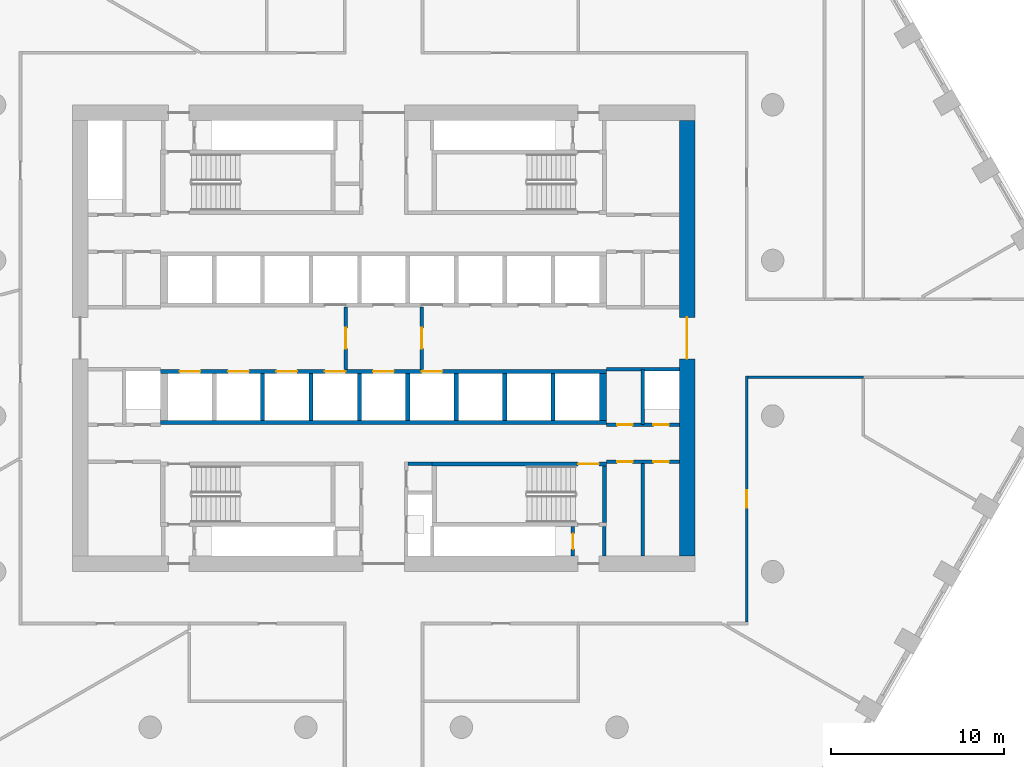
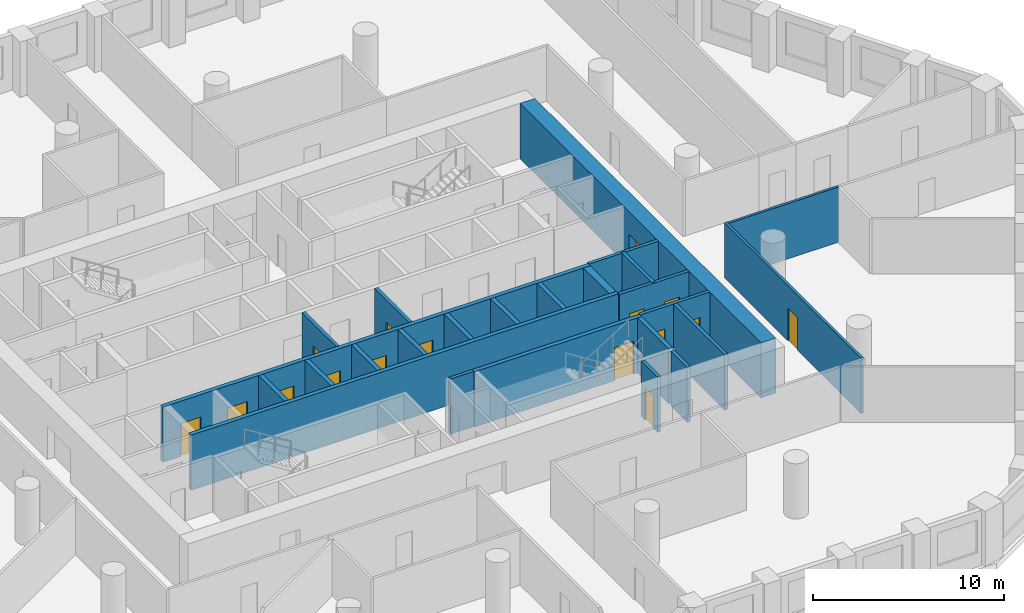
# One storey, part 4 of 10: 25 walls, 16 doors, 16 openings.
"""IFC4 building model written with IfcOpenShell, lengths in metres."""

from ifc_helpers import new_model, si_unit, direction, frame, frame_2d, origin, place, context, subcontext, project, spatial, polyline, rectangle, outline, extrude, material, layer, layer_set, type_object, element, fill, save


model = new_model("IFC4")

# Units and contexts
model_context = context("Model", 3, precision=1e-05, world=origin(), true_north=direction((0.0, 1.0)))
body_context = subcontext(model_context, "Body", "Model", "MODEL_VIEW")
ifc_project = project(units=[si_unit("LENGTHUNIT", "METRE"), si_unit("AREAUNIT", "SQUARE_METRE"), si_unit("VOLUMEUNIT", "CUBIC_METRE"), si_unit("PLANEANGLEUNIT", "RADIAN"), si_unit("MASSUNIT", "GRAM", prefix="KILO")], contexts=[model_context])

# Site, building, storey
site_placement = place(None, origin())
site = spatial("IfcSite", under=ifc_project, at=site_placement, CompositionType="ELEMENT")
building_placement = place(site_placement, origin())
building = spatial("IfcBuilding", under=site, at=building_placement, Name="Dhurran Vertical Campus", CompositionType="ELEMENT")
storey_placement = place(building_placement, frame((0.0, 0.0, 89.10009765625)))
storey = spatial("IfcBuildingStorey", under=building, at=storey_placement, Name="L21", CompositionType="ELEMENT", Elevation=89.10009765625)

# Wall, opening, door
ifc_material_1 = material(Name="Concrete C60/75", Category="concrete")
ifc_layer_1 = layer(ifc_material_1, 0.89990234375)
ifc_layer_set_1 = layer_set([ifc_layer_1], Name="Concrete C60/75")
wall_type_1 = type_object("IfcWallType", Name="co-CORE-WALL-C0-900", PredefinedType="SHEAR", material=ifc_layer_set_1)
wall_1_placement = place(storey_placement, frame((17.550048828125, -12.60009765625, 0.0), z_axis=(0.0, 0.0, 1.0), x_axis=(0.0, 1.0, 0.0)))
wall_1 = element("IfcWall", 1, at=wall_1_placement, inside=storey, type_object=wall_type_1, Name="Core wall E L21", PredefinedType="SHEAR", context=body_context, shape_type="SweptSolid", body=[
    extrude(rectangle(XDim=25.2001953125, YDim=0.89990234375, at=frame_2d((12.60009765625, 0.0))), origin(), (0.0, 0.0, 1.0), 3.52490234375),
])
opening_1_placement = place(wall_1_placement, frame((11.39990234375, 0.0, 0.0)))
opening_1 = element("IfcOpeningElement", 2, at=opening_1_placement, cuts=wall_1, Name="Opening CL2", PredefinedType="OPENING", context=body_context, shape_type="SweptSolid", body=[
    extrude(rectangle(XDim=2.39990234375, YDim=2.10009765625, at=frame_2d((1.199951171875, 1.050048828125))), frame((0.0, 0.4599609375, 0.0), z_axis=(0.0, -1.0, 0.0), x_axis=(1.0, 0.0, 0.0)), (0.0, 0.0, 1.0), 0.919921875),
])
ifc_material_2 = material(Name="Fire-rated glazed door set")
door_type_1 = type_object("IfcDoorType", Name="co-D-LOBBY 2400x2100", OperationType="DOUBLE_DOOR_DOUBLE_SWING", PredefinedType="DOOR", material=ifc_material_2)
door_1_placement = place(opening_1_placement, origin())
door_1 = element("IfcDoor", 3, at=door_1_placement, inside=storey, type_object=door_type_1, Name="Lift lobby door E L21", OperationType="DOUBLE_DOOR_DOUBLE_SWING", OverallHeight=2.10009765625, OverallWidth=2.39990234375, PredefinedType="DOOR", context=body_context, shape_type="SweptSolid", body=[
    extrude(rectangle(XDim=2.39990234375, YDim=2.10009765625, at=frame_2d((1.199951171875, 1.050048828125))), frame((0.0, 0.02490234375, 0.0), z_axis=(0.0, -1.0, 0.0), x_axis=(1.0, 0.0, 0.0)), (0.0, 0.0, 1.0), 0.050048828125),
])
fill(opening_1, door_1)

ifc_material_3 = material(Name="Fire-rated masonry blockwork", Category="masonry")
ifc_layer_2 = layer(ifc_material_3, 0.199951171875)
ifc_layer_set_2 = layer_set([ifc_layer_2], Name="Fire-rated masonry blockwork")
wall_type_2 = type_object("IfcWallType", Name="co-FIRE-PARTITION-200", PredefinedType="PARTITIONING", material=ifc_layer_set_2)
wall_2_placement = place(storey_placement, frame((-2.199951171875, -1.800048828125, 0.0), z_axis=(0.0, 0.0, 1.0), x_axis=(0.0, 1.0, 0.0)))
wall_2 = element("IfcWall", 4, at=wall_2_placement, inside=storey, type_object=wall_type_2, Name="Firefighting lobby wall W L21", PredefinedType="PARTITIONING", context=body_context, shape_type="SweptSolid", body=[
    extrude(rectangle(XDim=3.60009765625, YDim=0.199951171875, at=frame_2d((1.800048828125, 0.0))), origin(), (0.0, 0.0, 1.0), 3.52490234375),
])
opening_2_placement = place(wall_2_placement, frame((1.199951171875, 0.0, 0.0)))
opening_2 = element("IfcOpeningElement", 5, at=opening_2_placement, cuts=wall_2, Name="Opening FL1", PredefinedType="OPENING", context=body_context, shape_type="SweptSolid", body=[
    extrude(rectangle(XDim=1.199951171875, YDim=2.10009765625, at=frame_2d((0.60009765625, 1.050048828125))), frame((0.0, 0.10986328125, 0.0), z_axis=(0.0, -1.0, 0.0), x_axis=(1.0, 0.0, 0.0)), (0.0, 0.0, 1.0), 0.219970703125),
])
ifc_material_4 = material(Name="Fire-rated steel door set", Category="steel")
door_type_2 = type_object("IfcDoorType", Name="co-D-FFLOBBY 1200x2100", OperationType="SINGLE_SWING_LEFT", PredefinedType="DOOR", material=ifc_material_4)
door_2_placement = place(opening_2_placement, origin())
door_2 = element("IfcDoor", 6, at=door_2_placement, inside=storey, type_object=door_type_2, Name="Firefighting lobby door W L21", OperationType="SINGLE_SWING_LEFT", OverallHeight=2.10009765625, OverallWidth=1.199951171875, PredefinedType="DOOR", context=body_context, shape_type="SweptSolid", body=[
    extrude(rectangle(XDim=1.199951171875, YDim=2.10009765625, at=frame_2d((0.60009765625, 1.050048828125))), frame((0.0, 0.02490234375, 0.0), z_axis=(0.0, -1.0, 0.0), x_axis=(1.0, 0.0, 0.0)), (0.0, 0.0, 1.0), 0.050048828125),
])
fill(opening_2, door_2)

wall_3_placement = place(storey_placement, frame((2.199951171875, -1.800048828125, 0.0), z_axis=(0.0, 0.0, 1.0), x_axis=(0.0, 1.0, 0.0)))
wall_3 = element("IfcWall", 7, at=wall_3_placement, inside=storey, type_object=wall_type_2, Name="Firefighting lobby wall E L21", PredefinedType="PARTITIONING", context=body_context, shape_type="SweptSolid", body=[
    extrude(rectangle(XDim=3.60009765625, YDim=0.199951171875, at=frame_2d((1.800048828125, 0.0))), origin(), (0.0, 0.0, 1.0), 3.52490234375),
])
opening_3_placement = place(wall_3_placement, frame((1.199951171875, 0.0, 0.0)))
opening_3 = element("IfcOpeningElement", 8, at=opening_3_placement, cuts=wall_3, Name="Opening FL2", PredefinedType="OPENING", context=body_context, shape_type="SweptSolid", body=[
    extrude(rectangle(XDim=1.199951171875, YDim=2.10009765625, at=frame_2d((0.60009765625, 1.050048828125))), frame((0.0, 0.10986328125, 0.0), z_axis=(0.0, -1.0, 0.0), x_axis=(1.0, 0.0, 0.0)), (0.0, 0.0, 1.0), 0.219970703125),
])
door_3_placement = place(opening_3_placement, origin())
door_3 = element("IfcDoor", 9, at=door_3_placement, inside=storey, type_object=door_type_2, Name="Firefighting lobby door E L21", OperationType="SINGLE_SWING_LEFT", OverallHeight=2.10009765625, OverallWidth=1.199951171875, PredefinedType="DOOR", context=body_context, shape_type="SweptSolid", body=[
    extrude(rectangle(XDim=1.199951171875, YDim=2.10009765625, at=frame_2d((0.60009765625, 1.050048828125))), frame((0.0, 0.02490234375, 0.0), z_axis=(0.0, -1.0, 0.0), x_axis=(1.0, 0.0, 0.0)), (0.0, 0.0, 1.0), 0.050048828125),
])
fill(opening_3, door_3)

# Walls
wall_4_placement = place(storey_placement, frame((1.39990234375, -7.25, 0.0), z_axis=(0.0, 0.0, 1.0), x_axis=(1.0, 0.0, 0.0)))
element("IfcWall", 10, at=wall_4_placement, inside=storey, type_object=wall_type_2, Name="Core partition sl-SE-S L21", PredefinedType="PARTITIONING", context=body_context, shape_type="SweptSolid", body=[
    extrude(rectangle(XDim=1.400146484375, YDim=0.199951171875, at=frame_2d((0.7001953125, 0.0))), origin(), (0.0, 0.0, 1.0), 3.52490234375),
])
wall_5_placement = place(storey_placement, frame((12.75, -12.60009765625, 0.0), z_axis=(0.0, 0.0, 1.0), x_axis=(0.0, 1.0, 0.0)))
element("IfcWall", 11, at=wall_5_placement, inside=storey, type_object=wall_type_2, Name="Core partition pass-ST4-o L21", PredefinedType="PARTITIONING", context=body_context, shape_type="SweptSolid", body=[
    extrude(rectangle(XDim=1.7001953125, YDim=0.199951171875, at=frame_2d((0.85009765625, 0.0))), origin(), (0.0, 0.0, 1.0), 3.52490234375),
])

# Wall, opening, door
wall_6_placement = place(storey_placement, frame((10.949951171875, -12.60009765625, 0.0), z_axis=(0.0, 0.0, 1.0), x_axis=(0.0, 1.0, 0.0)))
wall_6 = element("IfcWall", 12, at=wall_6_placement, inside=storey, type_object=wall_type_2, Name="Core partition pass-ST4-i L21", PredefinedType="PARTITIONING", context=body_context, shape_type="SweptSolid", body=[
    extrude(rectangle(XDim=1.7001953125, YDim=0.199951171875, at=frame_2d((0.85009765625, 0.0))), origin(), (0.0, 0.0, 1.0), 3.52490234375),
])
opening_4_placement = place(wall_6_placement, frame((0.39990234375, 0.0, 0.0)))
opening_4 = element("IfcOpeningElement", 13, at=opening_4_placement, cuts=wall_6, Name="Opening T05-C11", PredefinedType="OPENING", context=body_context, shape_type="SweptSolid", body=[
    extrude(rectangle(XDim=0.89990234375, YDim=2.10009765625, at=frame_2d((0.449951171875, 1.050048828125))), frame((0.0, 0.10986328125, 0.0), z_axis=(0.0, -1.0, 0.0), x_axis=(1.0, 0.0, 0.0)), (0.0, 0.0, 1.0), 0.219970703125),
])
ifc_material_5 = material(Name="Fire-rated timber door set", Category="wood")
door_type_3 = type_object("IfcDoorType", Name="co-D-ROOM 900x2100", OperationType="SINGLE_SWING_LEFT", PredefinedType="DOOR", material=ifc_material_5)
door_4_placement = place(opening_4_placement, origin())
door_4 = element("IfcDoor", 14, at=door_4_placement, inside=storey, type_object=door_type_3, Name="Riser room door L21", OperationType="SINGLE_SWING_LEFT", OverallHeight=2.10009765625, OverallWidth=0.89990234375, PredefinedType="DOOR", context=body_context, shape_type="SweptSolid", body=[
    extrude(rectangle(XDim=0.89990234375, YDim=2.10009765625, at=frame_2d((0.449951171875, 1.050048828125))), frame((0.0, 0.02490234375, 0.0), z_axis=(0.0, -1.0, 0.0), x_axis=(1.0, 0.0, 0.0)), (0.0, 0.0, 1.0), 0.050048828125),
])
fill(opening_4, door_4)

# Wall
wall_7_placement = place(storey_placement, frame((15.0, -12.60009765625, 0.0), z_axis=(0.0, 0.0, 1.0), x_axis=(0.0, 1.0, 0.0)))
element("IfcWall", 15, at=wall_7_placement, inside=storey, type_object=wall_type_2, Name="Core partition en-SE-cut0 L21", PredefinedType="PARTITIONING", context=body_context, shape_type="SweptSolid", body=[
    extrude(rectangle(XDim=5.4501953125, YDim=0.199951171875, at=frame_2d((2.72509765625, 0.0))), origin(), (0.0, 0.0, 1.0), 3.52490234375),
])

# Wall, openings, doors
wall_8_placement = place(storey_placement, frame((12.89990234375, -7.14990234375, 0.0), z_axis=(0.0, 0.0, 1.0), x_axis=(1.0, 0.0, 0.0)))
wall_8 = element("IfcWall", 16, at=wall_8_placement, inside=storey, type_object=wall_type_2, Name="Core partition en-SE-w L21", PredefinedType="PARTITIONING", context=body_context, shape_type="SweptSolid", body=[
    extrude(rectangle(XDim=4.2001953125, YDim=0.199951171875, at=frame_2d((2.10009765625, 0.0))), origin(), (0.0, 0.0, 1.0), 3.52490234375),
])
opening_5_placement = place(wall_8_placement, frame((0.60009765625, 0.0, 0.0)))
opening_5 = element("IfcOpeningElement", 17, at=opening_5_placement, cuts=wall_8, Name="Opening T05-C22", PredefinedType="OPENING", context=body_context, shape_type="SweptSolid", body=[
    extrude(rectangle(XDim=0.89990234375, YDim=2.10009765625, at=frame_2d((0.449951171875, 1.050048828125))), frame((0.0, 0.10986328125, 0.0), z_axis=(0.0, -1.0, 0.0), x_axis=(1.0, 0.0, 0.0)), (0.0, 0.0, 1.0), 0.219970703125),
])
opening_6_placement = place(wall_8_placement, frame((2.699951171875, 0.0, 0.0)))
opening_6 = element("IfcOpeningElement", 18, at=opening_6_placement, cuts=wall_8, Name="Opening T05-C23", PredefinedType="OPENING", context=body_context, shape_type="SweptSolid", body=[
    extrude(rectangle(XDim=0.89990234375, YDim=2.10009765625, at=frame_2d((0.449951171875, 1.050048828125))), frame((0.0, 0.10986328125, 0.0), z_axis=(0.0, -1.0, 0.0), x_axis=(1.0, 0.0, 0.0)), (0.0, 0.0, 1.0), 0.219970703125),
])
door_5_placement = place(opening_5_placement, origin())
door_5 = element("IfcDoor", 19, at=door_5_placement, inside=storey, type_object=door_type_3, Name="Waste room door L21", OperationType="SINGLE_SWING_LEFT", OverallHeight=2.10009765625, OverallWidth=0.89990234375, PredefinedType="DOOR", context=body_context, shape_type="SweptSolid", body=[
    extrude(rectangle(XDim=0.89990234375, YDim=2.10009765625, at=frame_2d((0.449951171875, 1.050048828125))), frame((0.0, 0.02490234375, 0.0), z_axis=(0.0, -1.0, 0.0), x_axis=(1.0, 0.0, 0.0)), (0.0, 0.0, 1.0), 0.050048828125),
])
fill(opening_5, door_5)
door_6_placement = place(opening_6_placement, origin())
door_6 = element("IfcDoor", 20, at=door_6_placement, inside=storey, type_object=door_type_3, Name="Pantry door L21", OperationType="SINGLE_SWING_LEFT", OverallHeight=2.10009765625, OverallWidth=0.89990234375, PredefinedType="DOOR", context=body_context, shape_type="SweptSolid", body=[
    extrude(rectangle(XDim=0.89990234375, YDim=2.10009765625, at=frame_2d((0.449951171875, 1.050048828125))), frame((0.0, 0.02490234375, 0.0), z_axis=(0.0, -1.0, 0.0), x_axis=(1.0, 0.0, 0.0)), (0.0, 0.0, 1.0), 0.050048828125),
])
fill(opening_6, door_6)

# Wall
wall_9_placement = place(storey_placement, frame((15.0, -5.0, 0.0), z_axis=(0.0, 0.0, 1.0), x_axis=(0.0, 1.0, 0.0)))
element("IfcWall", 21, at=wall_9_placement, inside=storey, type_object=wall_type_2, Name="Core partition es-SE-cut0 L21", PredefinedType="PARTITIONING", context=body_context, shape_type="SweptSolid", body=[
    extrude(rectangle(XDim=3.199951171875, YDim=0.199951171875, at=frame_2d((1.60009765625, 0.0))), origin(), (0.0, 0.0, 1.0), 3.52490234375),
])

# Wall, openings, doors
wall_10_placement = place(storey_placement, frame((12.89990234375, -5.0, 0.0), z_axis=(0.0, 0.0, 1.0), x_axis=(1.0, 0.0, 0.0)))
wall_10 = element("IfcWall", 22, at=wall_10_placement, inside=storey, type_object=wall_type_2, Name="Core partition es-SE-w L21", PredefinedType="PARTITIONING", context=body_context, shape_type="SweptSolid", body=[
    extrude(rectangle(XDim=4.2001953125, YDim=0.199951171875, at=frame_2d((2.10009765625, 0.0))), origin(), (0.0, 0.0, 1.0), 3.52490234375),
])
opening_7_placement = place(wall_10_placement, frame((0.60009765625, 0.0, 0.0)))
opening_7 = element("IfcOpeningElement", 23, at=opening_7_placement, cuts=wall_10, Name="Opening T05-C24", PredefinedType="OPENING", context=body_context, shape_type="SweptSolid", body=[
    extrude(rectangle(XDim=0.89990234375, YDim=2.10009765625, at=frame_2d((0.449951171875, 1.050048828125))), frame((0.0, 0.10986328125, 0.0), z_axis=(0.0, -1.0, 0.0), x_axis=(1.0, 0.0, 0.0)), (0.0, 0.0, 1.0), 0.219970703125),
])
opening_8_placement = place(wall_10_placement, frame((2.699951171875, 0.0, 0.0)))
opening_8 = element("IfcOpeningElement", 24, at=opening_8_placement, cuts=wall_10, Name="Opening T05-C25", PredefinedType="OPENING", context=body_context, shape_type="SweptSolid", body=[
    extrude(rectangle(XDim=0.89990234375, YDim=2.10009765625, at=frame_2d((0.449951171875, 1.050048828125))), frame((0.0, 0.10986328125, 0.0), z_axis=(0.0, -1.0, 0.0), x_axis=(1.0, 0.0, 0.0)), (0.0, 0.0, 1.0), 0.219970703125),
])
door_7_placement = place(opening_7_placement, origin())
door_7 = element("IfcDoor", 25, at=door_7_placement, inside=storey, type_object=door_type_3, Name="Plant room door L21", OperationType="SINGLE_SWING_LEFT", OverallHeight=2.10009765625, OverallWidth=0.89990234375, PredefinedType="DOOR", context=body_context, shape_type="SweptSolid", body=[
    extrude(rectangle(XDim=0.89990234375, YDim=2.10009765625, at=frame_2d((0.449951171875, 1.050048828125))), frame((0.0, 0.02490234375, 0.0), z_axis=(0.0, -1.0, 0.0), x_axis=(1.0, 0.0, 0.0)), (0.0, 0.0, 1.0), 0.050048828125),
])
fill(opening_7, door_7)
door_8_placement = place(opening_8_placement, origin())
door_8 = element("IfcDoor", 26, at=door_8_placement, inside=storey, type_object=door_type_3, Name="Water riser door L21", OperationType="SINGLE_SWING_LEFT", OverallHeight=2.10009765625, OverallWidth=0.89990234375, PredefinedType="DOOR", context=body_context, shape_type="SweptSolid", body=[
    extrude(rectangle(XDim=0.89990234375, YDim=2.10009765625, at=frame_2d((0.449951171875, 1.050048828125))), frame((0.0, 0.02490234375, 0.0), z_axis=(0.0, -1.0, 0.0), x_axis=(1.0, 0.0, 0.0)), (0.0, 0.0, 1.0), 0.050048828125),
])
fill(opening_8, door_8)

# Wall
wall_11_placement = place(storey_placement, frame((12.89990234375, -1.800048828125, 0.0), z_axis=(0.0, 0.0, 1.0), x_axis=(1.0, 0.0, 0.0)))
element("IfcWall", 27, at=wall_11_placement, inside=storey, type_object=wall_type_2, Name="Core partition es-SE-l L21", PredefinedType="PARTITIONING", context=body_context, shape_type="SweptSolid", body=[
    extrude(rectangle(XDim=4.2001953125, YDim=0.199951171875, at=frame_2d((2.10009765625, 0.0))), origin(), (0.0, 0.0, 1.0), 3.52490234375),
])

# Wall, openings, doors
ifc_material_6 = material(Name="Concrete C50/60", Category="concrete")
ifc_layer_3 = layer(ifc_material_6, 0.25)
ifc_layer_set_3 = layer_set([ifc_layer_3], Name="Concrete C50/60")
wall_type_3 = type_object("IfcWallType", Name="co-SHAFT-FRONT-250", PredefinedType="SHEAR", material=ifc_layer_set_3)
wall_12_placement = place(storey_placement, frame((-12.89990234375, -1.925048828125, 0.0), z_axis=(0.0, 0.0, 1.0), x_axis=(1.0, 0.0, 0.0)))
wall_12 = element("IfcWall", 28, at=wall_12_placement, inside=storey, type_object=wall_type_3, Name="Lift landing wall S L21", PredefinedType="SHEAR", context=body_context, shape_type="SweptSolid", body=[
    extrude(rectangle(XDim=25.7998046875, YDim=0.25, at=frame_2d((12.89990234375, 0.0))), origin(), (0.0, 0.0, 1.0), 3.52490234375),
])
opening_9_placement = place(wall_12_placement, frame((1.10009765625, 0.0, 0.0)))
opening_9 = element("IfcOpeningElement", 29, at=opening_9_placement, cuts=wall_12, Name="Opening LD", PredefinedType="OPENING", context=body_context, shape_type="SweptSolid", body=[
    extrude(rectangle(XDim=1.199951171875, YDim=2.10009765625, at=frame_2d((0.60009765625, 1.050048828125))), frame((0.0, 0.135009765625, 0.0), z_axis=(0.0, -1.0, 0.0), x_axis=(1.0, 0.0, 0.0)), (0.0, 0.0, 1.0), 0.27001953125),
])
opening_10_placement = place(wall_12_placement, frame((3.89990234375, 0.0, 0.0)))
opening_10 = element("IfcOpeningElement", 30, at=opening_10_placement, cuts=wall_12, Name="Opening LD", PredefinedType="OPENING", context=body_context, shape_type="SweptSolid", body=[
    extrude(rectangle(XDim=1.199951171875, YDim=2.10009765625, at=frame_2d((0.60009765625, 1.050048828125))), frame((0.0, 0.135009765625, 0.0), z_axis=(0.0, -1.0, 0.0), x_axis=(1.0, 0.0, 0.0)), (0.0, 0.0, 1.0), 0.27001953125),
])
opening_11_placement = place(wall_12_placement, frame((6.699951171875, 0.0, 0.0)))
opening_11 = element("IfcOpeningElement", 31, at=opening_11_placement, cuts=wall_12, Name="Opening LD", PredefinedType="OPENING", context=body_context, shape_type="SweptSolid", body=[
    extrude(rectangle(XDim=1.199951171875, YDim=2.10009765625, at=frame_2d((0.60009765625, 1.050048828125))), frame((0.0, 0.135009765625, 0.0), z_axis=(0.0, -1.0, 0.0), x_axis=(1.0, 0.0, 0.0)), (0.0, 0.0, 1.0), 0.27001953125),
])
opening_12_placement = place(wall_12_placement, frame((9.5, 0.0, 0.0)))
opening_12 = element("IfcOpeningElement", 32, at=opening_12_placement, cuts=wall_12, Name="Opening LD", PredefinedType="OPENING", context=body_context, shape_type="SweptSolid", body=[
    extrude(rectangle(XDim=1.199951171875, YDim=2.10009765625, at=frame_2d((0.60009765625, 1.050048828125))), frame((0.0, 0.135009765625, 0.0), z_axis=(0.0, -1.0, 0.0), x_axis=(1.0, 0.0, 0.0)), (0.0, 0.0, 1.0), 0.27001953125),
])
opening_13_placement = place(wall_12_placement, frame((12.300048828125, 0.0, 0.0)))
opening_13 = element("IfcOpeningElement", 33, at=opening_13_placement, cuts=wall_12, Name="Opening LD", PredefinedType="OPENING", context=body_context, shape_type="SweptSolid", body=[
    extrude(rectangle(XDim=1.199951171875, YDim=2.10009765625, at=frame_2d((0.60009765625, 1.050048828125))), frame((0.0, 0.135009765625, 0.0), z_axis=(0.0, -1.0, 0.0), x_axis=(1.0, 0.0, 0.0)), (0.0, 0.0, 1.0), 0.27001953125),
])
opening_14_placement = place(wall_12_placement, frame((15.10009765625, 0.0, 0.0)))
opening_14 = element("IfcOpeningElement", 34, at=opening_14_placement, cuts=wall_12, Name="Opening LD", PredefinedType="OPENING", context=body_context, shape_type="SweptSolid", body=[
    extrude(rectangle(XDim=1.199951171875, YDim=2.10009765625, at=frame_2d((0.60009765625, 1.050048828125))), frame((0.0, 0.135009765625, 0.0), z_axis=(0.0, -1.0, 0.0), x_axis=(1.0, 0.0, 0.0)), (0.0, 0.0, 1.0), 0.27001953125),
])
ifc_material_7 = material(Name="Stainless steel landing door", Category="steel")
door_type_4 = type_object("IfcDoorType", Name="co-D-LANDING 1200x2100", OperationType="DOUBLE_DOOR_SLIDING", PredefinedType="DOOR", material=ifc_material_7)
door_9_placement = place(opening_9_placement, origin())
door_9 = element("IfcDoor", 35, at=door_9_placement, inside=storey, type_object=door_type_4, Name="Landing door LR5 L21", OperationType="DOUBLE_DOOR_SLIDING", OverallHeight=2.10009765625, OverallWidth=1.199951171875, PredefinedType="DOOR", context=body_context, shape_type="SweptSolid", body=[
    extrude(rectangle(XDim=1.199951171875, YDim=2.10009765625, at=frame_2d((0.60009765625, 1.050048828125))), frame((0.0, 0.02490234375, 0.0), z_axis=(0.0, -1.0, 0.0), x_axis=(1.0, 0.0, 0.0)), (0.0, 0.0, 1.0), 0.050048828125),
])
fill(opening_9, door_9)
door_10_placement = place(opening_10_placement, origin())
door_10 = element("IfcDoor", 36, at=door_10_placement, inside=storey, type_object=door_type_4, Name="Landing door LR6 L21", OperationType="DOUBLE_DOOR_SLIDING", OverallHeight=2.10009765625, OverallWidth=1.199951171875, PredefinedType="DOOR", context=body_context, shape_type="SweptSolid", body=[
    extrude(rectangle(XDim=1.199951171875, YDim=2.10009765625, at=frame_2d((0.60009765625, 1.050048828125))), frame((0.0, 0.02490234375, 0.0), z_axis=(0.0, -1.0, 0.0), x_axis=(1.0, 0.0, 0.0)), (0.0, 0.0, 1.0), 0.050048828125),
])
fill(opening_10, door_10)
door_11_placement = place(opening_11_placement, origin())
door_11 = element("IfcDoor", 37, at=door_11_placement, inside=storey, type_object=door_type_4, Name="Landing door LR7 L21", OperationType="DOUBLE_DOOR_SLIDING", OverallHeight=2.10009765625, OverallWidth=1.199951171875, PredefinedType="DOOR", context=body_context, shape_type="SweptSolid", body=[
    extrude(rectangle(XDim=1.199951171875, YDim=2.10009765625, at=frame_2d((0.60009765625, 1.050048828125))), frame((0.0, 0.02490234375, 0.0), z_axis=(0.0, -1.0, 0.0), x_axis=(1.0, 0.0, 0.0)), (0.0, 0.0, 1.0), 0.050048828125),
])
fill(opening_11, door_11)
door_12_placement = place(opening_12_placement, origin())
door_12 = element("IfcDoor", 38, at=door_12_placement, inside=storey, type_object=door_type_4, Name="Landing door LR8 L21", OperationType="DOUBLE_DOOR_SLIDING", OverallHeight=2.10009765625, OverallWidth=1.199951171875, PredefinedType="DOOR", context=body_context, shape_type="SweptSolid", body=[
    extrude(rectangle(XDim=1.199951171875, YDim=2.10009765625, at=frame_2d((0.60009765625, 1.050048828125))), frame((0.0, 0.02490234375, 0.0), z_axis=(0.0, -1.0, 0.0), x_axis=(1.0, 0.0, 0.0)), (0.0, 0.0, 1.0), 0.050048828125),
])
fill(opening_12, door_12)
door_13_placement = place(opening_13_placement, origin())
door_13 = element("IfcDoor", 39, at=door_13_placement, inside=storey, type_object=door_type_4, Name="Landing door FF2 L21", OperationType="DOUBLE_DOOR_SLIDING", OverallHeight=2.10009765625, OverallWidth=1.199951171875, PredefinedType="DOOR", context=body_context, shape_type="SweptSolid", body=[
    extrude(rectangle(XDim=1.199951171875, YDim=2.10009765625, at=frame_2d((0.60009765625, 1.050048828125))), frame((0.0, 0.02490234375, 0.0), z_axis=(0.0, -1.0, 0.0), x_axis=(1.0, 0.0, 0.0)), (0.0, 0.0, 1.0), 0.050048828125),
])
fill(opening_13, door_13)
door_14_placement = place(opening_14_placement, origin())
door_14 = element("IfcDoor", 40, at=door_14_placement, inside=storey, type_object=door_type_4, Name="Landing door SV1 L21", OperationType="DOUBLE_DOOR_SLIDING", OverallHeight=2.10009765625, OverallWidth=1.199951171875, PredefinedType="DOOR", context=body_context, shape_type="SweptSolid", body=[
    extrude(rectangle(XDim=1.199951171875, YDim=2.10009765625, at=frame_2d((0.60009765625, 1.050048828125))), frame((0.0, 0.02490234375, 0.0), z_axis=(0.0, -1.0, 0.0), x_axis=(1.0, 0.0, 0.0)), (0.0, 0.0, 1.0), 0.050048828125),
])
fill(opening_14, door_14)

# Walls
ifc_material_8 = material(Name="Concrete C50/60", Category="concrete")
ifc_layer_4 = layer(ifc_material_8, 0.25)
ifc_layer_set_4 = layer_set([ifc_layer_4], Name="Concrete C50/60")
wall_type_4 = type_object("IfcWallType", Name="co-SHAFT-MASS-250", PredefinedType="SHEAR", material=ifc_layer_set_4)
wall_13_placement = place(storey_placement, origin())
element("IfcWall", 41, at=wall_13_placement, inside=storey, type_object=wall_type_4, Name="Lift shaft wall S L21 1", PredefinedType="SHEAR", context=body_context, shape_type="SweptSolid", body=[
    extrude(outline(polyline([(-12.89990234375, -5.0), (12.89990234375, -5.0), (12.89990234375, -4.75), (-12.89990234375, -4.75), (-12.89990234375, -5.0)])), origin(), (0.0, 0.0, 1.0), 3.52490234375),
])
wall_14_placement = place(storey_placement, origin())
element("IfcWall", 42, at=wall_14_placement, inside=storey, type_object=wall_type_4, Name="Lift shaft wall S L21 4", PredefinedType="SHEAR", context=body_context, shape_type="SweptSolid", body=[
    extrude(outline(polyline([(-7.125, -4.75), (-6.875, -4.75), (-6.875, -2.050048828125), (-7.125, -2.050048828125), (-7.125, -4.75)])), origin(), (0.0, 0.0, 1.0), 3.52490234375),
])
wall_15_placement = place(storey_placement, origin())
element("IfcWall", 43, at=wall_15_placement, inside=storey, type_object=wall_type_4, Name="Lift shaft wall S L21 5", PredefinedType="SHEAR", context=body_context, shape_type="SweptSolid", body=[
    extrude(outline(polyline([(-4.324951171875, -4.75), (-4.074951171875, -4.75), (-4.074951171875, -2.050048828125), (-4.324951171875, -2.050048828125), (-4.324951171875, -4.75)])), origin(), (0.0, 0.0, 1.0), 3.52490234375),
])
wall_16_placement = place(storey_placement, origin())
element("IfcWall", 44, at=wall_16_placement, inside=storey, type_object=wall_type_4, Name="Lift shaft wall S L21 6", PredefinedType="SHEAR", context=body_context, shape_type="SweptSolid", body=[
    extrude(outline(polyline([(-1.52490234375, -4.75), (-1.27490234375, -4.75), (-1.27490234375, -2.050048828125), (-1.52490234375, -2.050048828125), (-1.52490234375, -4.75)])), origin(), (0.0, 0.0, 1.0), 3.52490234375),
])
wall_17_placement = place(storey_placement, origin())
element("IfcWall", 45, at=wall_17_placement, inside=storey, type_object=wall_type_4, Name="Lift shaft wall S L21 7", PredefinedType="SHEAR", context=body_context, shape_type="SweptSolid", body=[
    extrude(outline(polyline([(1.27490234375, -4.75), (1.52490234375, -4.75), (1.52490234375, -2.050048828125), (1.27490234375, -2.050048828125), (1.27490234375, -4.75)])), origin(), (0.0, 0.0, 1.0), 3.52490234375),
])
wall_18_placement = place(storey_placement, origin())
element("IfcWall", 46, at=wall_18_placement, inside=storey, type_object=wall_type_4, Name="Lift shaft wall S L21 8", PredefinedType="SHEAR", context=body_context, shape_type="SweptSolid", body=[
    extrude(outline(polyline([(4.074951171875, -4.75), (4.324951171875, -4.75), (4.324951171875, -2.050048828125), (4.074951171875, -2.050048828125), (4.074951171875, -4.75)])), origin(), (0.0, 0.0, 1.0), 3.52490234375),
])
wall_19_placement = place(storey_placement, origin())
element("IfcWall", 47, at=wall_19_placement, inside=storey, type_object=wall_type_4, Name="Lift shaft wall S L21 9", PredefinedType="SHEAR", context=body_context, shape_type="SweptSolid", body=[
    extrude(outline(polyline([(6.875, -4.75), (7.125, -4.75), (7.125, -2.050048828125), (6.875, -2.050048828125), (6.875, -4.75)])), origin(), (0.0, 0.0, 1.0), 3.52490234375),
])
wall_20_placement = place(storey_placement, origin())
element("IfcWall", 48, at=wall_20_placement, inside=storey, type_object=wall_type_4, Name="Lift shaft wall S L21 10", PredefinedType="SHEAR", context=body_context, shape_type="SweptSolid", body=[
    extrude(outline(polyline([(9.675048828125, -4.75), (9.925048828125, -4.75), (9.925048828125, -2.050048828125), (9.675048828125, -2.050048828125), (9.675048828125, -4.75)])), origin(), (0.0, 0.0, 1.0), 3.52490234375),
])
wall_21_placement = place(storey_placement, origin())
element("IfcWall", 49, at=wall_21_placement, inside=storey, type_object=wall_type_4, Name="Lift shaft wall S L21 11", PredefinedType="SHEAR", context=body_context, shape_type="SweptSolid", body=[
    extrude(outline(polyline([(12.47509765625, -4.75), (12.89990234375, -4.75), (12.89990234375, -2.050048828125), (12.47509765625, -2.050048828125), (12.47509765625, -4.75)])), origin(), (0.0, 0.0, 1.0), 3.52490234375),
])

# Wall, opening, door
ifc_material_9 = material(Name="Concrete C40/50", Category="concrete")
ifc_layer_5 = layer(ifc_material_9, 0.25)
ifc_layer_set_5 = layer_set([ifc_layer_5], Name="Concrete C40/50")
wall_type_5 = type_object("IfcWallType", Name="co-STAIR-WALL-250", PredefinedType="SHEAR", material=ifc_layer_set_5)
wall_22_placement = place(storey_placement, frame((2.800048828125, -7.27490234375, 0.0), z_axis=(0.0, 0.0, 1.0), x_axis=(1.0, 0.0, 0.0)))
wall_22 = element("IfcWall", 50, at=wall_22_placement, inside=storey, type_object=wall_type_5, Name="Stair ST4 enclosure wall L21", PredefinedType="SHEAR", context=body_context, shape_type="SweptSolid", body=[
    extrude(rectangle(XDim=10.099853515625, YDim=0.25, at=frame_2d((5.0498046875, 0.0))), origin(), (0.0, 0.0, 1.0), 3.52490234375),
])
opening_15_placement = place(wall_22_placement, frame((8.449951171875, 0.0, 0.0)))
opening_15 = element("IfcOpeningElement", 51, at=opening_15_placement, cuts=wall_22, Name="Opening SD4", PredefinedType="OPENING", context=body_context, shape_type="SweptSolid", body=[
    extrude(rectangle(XDim=1.199951171875, YDim=2.10009765625, at=frame_2d((0.60009765625, 1.050048828125))), frame((0.0, 0.135009765625, 0.0), z_axis=(0.0, -1.0, 0.0), x_axis=(1.0, 0.0, 0.0)), (0.0, 0.0, 1.0), 0.27001953125),
])
ifc_material_10 = material(Name="Fire-rated steel door set", Category="steel")
door_type_5 = type_object("IfcDoorType", Name="co-D-STAIR 1200x2100", OperationType="SINGLE_SWING_LEFT", PredefinedType="DOOR", material=ifc_material_10)
door_15_placement = place(opening_15_placement, origin())
door_15 = element("IfcDoor", 52, at=door_15_placement, inside=storey, type_object=door_type_5, Name="Stair ST4 door L21", OperationType="SINGLE_SWING_LEFT", OverallHeight=2.10009765625, OverallWidth=1.199951171875, PredefinedType="DOOR", context=body_context, shape_type="SweptSolid", body=[
    extrude(rectangle(XDim=1.199951171875, YDim=2.10009765625, at=frame_2d((0.60009765625, 1.050048828125))), frame((0.0, 0.02490234375, 0.0), z_axis=(0.0, -1.0, 0.0), x_axis=(1.0, 0.0, 0.0)), (0.0, 0.0, 1.0), 0.050048828125),
])
fill(opening_15, door_15)

# Wall
wall_23_placement = place(storey_placement, frame((12.77490234375, -10.64990234375, 0.0), z_axis=(0.0, 0.0, 1.0), x_axis=(0.0, 1.0, 0.0)))
element("IfcWall", 53, at=wall_23_placement, inside=storey, type_object=wall_type_5, Name="Stair ST4 enclosure wall L21", PredefinedType="SHEAR", context=body_context, shape_type="SweptSolid", body=[
    extrude(rectangle(XDim=3.25, YDim=0.25, at=frame_2d((1.625, 0.0))), origin(), (0.0, 0.0, 1.0), 3.52490234375),
])

# Wall, opening, door
ifc_material_11 = material(Name="Gypsum board corridor wall on steel studs", Category="steel")
ifc_layer_6 = layer(ifc_material_11, 0.14990234375)
ifc_layer_set_6 = layer_set([ifc_layer_6], Name="Gypsum board corridor wall on steel studs")
wall_type_6 = type_object("IfcWallType", Name="fl-CW-150 corridor wall", PredefinedType="PARTITIONING", material=ifc_layer_set_6)
wall_24_placement = place(storey_placement, frame((21.0, -16.425048828125, 0.0), z_axis=(0.0, 0.0, 1.0), x_axis=(0.0, 1.0, 0.0)))
wall_24 = element("IfcWall", 54, at=wall_24_placement, inside=storey, type_object=wall_type_6, Name="Partition 21-37", PredefinedType="PARTITIONING", context=body_context, shape_type="SweptSolid", body=[
    extrude(rectangle(XDim=14.25, YDim=0.14990234375, at=frame_2d((7.125, 0.0))), origin(), (0.0, 0.0, 1.0), 3.52490234375),
])
opening_16_placement = place(wall_24_placement, frame((6.625, 0.0, 0.0)))
opening_16 = element("IfcOpeningElement", 55, at=opening_16_placement, cuts=wall_24, Name="Opening T05.12", PredefinedType="OPENING", context=body_context, shape_type="SweptSolid", body=[
    extrude(rectangle(XDim=1.0, YDim=2.10009765625, at=frame_2d((0.5, 1.050048828125))), frame((0.0, 0.0849609375, 0.0), z_axis=(0.0, -1.0, 0.0), x_axis=(1.0, 0.0, 0.0)), (0.0, 0.0, 1.0), 0.169921875),
])
ifc_material_12 = material(Name="Solid-core timber door set, fire-rated", Category="wood")
door_type_6 = type_object("IfcDoorType", Name="fl-D-1000x2100", OperationType="SINGLE_SWING_LEFT", PredefinedType="DOOR", material=ifc_material_12)
door_16_placement = place(opening_16_placement, origin())
door_16 = element("IfcDoor", 56, at=door_16_placement, inside=storey, type_object=door_type_6, Name="Door 21.12", OperationType="SINGLE_SWING_RIGHT", OverallHeight=2.10009765625, OverallWidth=1.0, PredefinedType="DOOR", context=body_context, shape_type="SweptSolid", body=[
    extrude(rectangle(XDim=1.0, YDim=2.10009765625, at=frame_2d((0.5, 1.050048828125))), frame((0.0, 0.02490234375, 0.0), z_axis=(0.0, -1.0, 0.0), x_axis=(1.0, 0.0, 0.0)), (0.0, 0.0, 1.0), 0.050048828125),
])
fill(opening_16, door_16)

# Wall
wall_25_placement = place(storey_placement, frame((27.75, -2.25, 0.0), z_axis=(0.0, 0.0, 1.0), x_axis=(-1.0, 0.0, 0.0)))
element("IfcWall", 57, at=wall_25_placement, inside=storey, type_object=wall_type_6, Name="Partition 21-38", PredefinedType="PARTITIONING", context=body_context, shape_type="SweptSolid", body=[
    extrude(rectangle(XDim=6.675048828125, YDim=0.14990234375, at=frame_2d((3.33740234375, 0.0))), origin(), (0.0, 0.0, 1.0), 3.52490234375),
])

save(model, "model.ifc")
